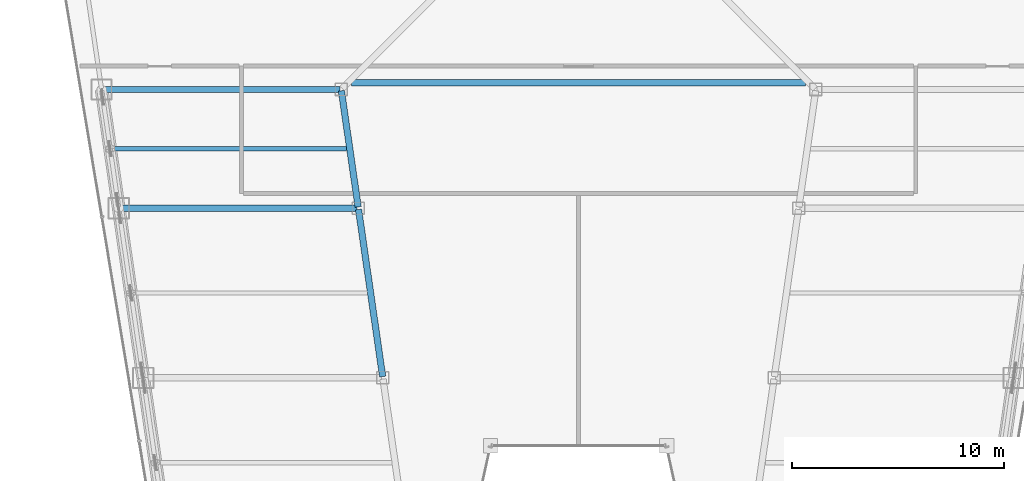
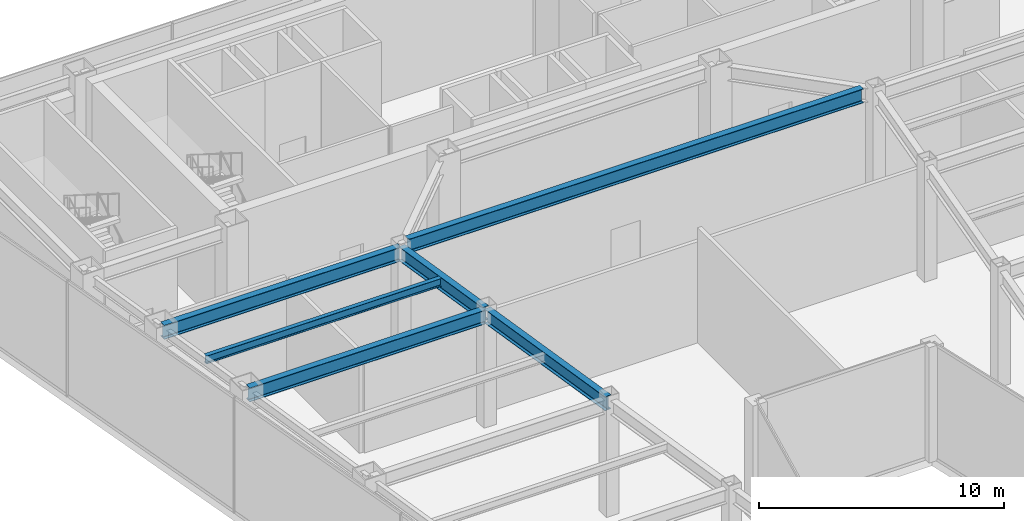
# One storey, part 10 of 30: 6 beams.
"""IFC4 building model written with IfcOpenShell, lengths in metres."""

from ifc_helpers import new_model, si_unit, direction, frame, origin, origin_2d, place, context, subcontext, project, spatial, i_section, extrude, material, material_profile, profile_set, type_object, element, save


model = new_model("IFC4")

# Units and contexts
model_context = context("Model", 3, precision=1e-05, world=origin(), true_north=direction((0.0, 1.0)))
body_context = subcontext(model_context, "Body", "Model", "MODEL_VIEW")
ifc_project = project(units=[si_unit("LENGTHUNIT", "METRE"), si_unit("AREAUNIT", "SQUARE_METRE"), si_unit("VOLUMEUNIT", "CUBIC_METRE"), si_unit("PLANEANGLEUNIT", "RADIAN"), si_unit("MASSUNIT", "GRAM", prefix="KILO")], contexts=[model_context])

# Site, building, storey
site_placement = place(None, origin())
site = spatial("IfcSite", under=ifc_project, at=site_placement, CompositionType="ELEMENT")
building_placement = place(site_placement, origin())
building = spatial("IfcBuilding", under=site, at=building_placement, Name="Saevonmaru Cultural Tower", CompositionType="ELEMENT")
storey_placement = place(building_placement, frame((0.0, 0.0, 123.60009765625)))
storey = spatial("IfcBuildingStorey", under=building, at=storey_placement, Name="L26", CompositionType="ELEMENT", Elevation=123.60009765625)

# Beams
ifc_material = material(Name="Steel SM355", Category="steel")
ifc_material_profile_1 = material_profile(ifc_material, i_section(OverallWidth=0.300048828125, OverallDepth=0.699951171875, WebThickness=0.012939453125, FlangeThickness=0.02392578125, FilletRadius=0.02587890625, at=origin_2d()), Name="H-700x300x13x24")
ifc_profile_set_1 = profile_set([ifc_material_profile_1], Name="Steel SM355")
beam_type_1 = type_object("IfcBeamType", Name="BM-G-H700", PredefinedType="BEAM", material=ifc_profile_set_1)
beam_1_placement = place(storey_placement, frame((20.763427734375, 24.059326171875, 5.39990234375), z_axis=(-0.142902032203, 0.989736838353, 0.0), x_axis=(-0.989736838353, -0.142902032203, 0.0)))
element("IfcBeam", 1, at=beam_1_placement, inside=storey, type_object=beam_type_1, Name="L26 West Atrium Girder 3", PredefinedType="BEAM", context=body_context, shape_type="SweptSolid", body=[
    extrude(i_section(OverallWidth=0.300048828125, OverallDepth=0.699951171875, WebThickness=0.012939453125, FlangeThickness=0.02392578125, FilletRadius=0.02587890625, at=origin_2d()), origin(), (0.0, 0.0, 1.0), 7.963134765625),
])
beam_2_placement = place(storey_placement, frame((19.6083984375, 32.059326171875, 5.39990234375), z_axis=(-0.142964121327, 0.989727871697, 0.0), x_axis=(-0.989727871697, -0.142964121327, 0.0)))
element("IfcBeam", 2, at=beam_2_placement, inside=storey, type_object=beam_type_1, Name="L26 West Atrium Girder 4", PredefinedType="BEAM", context=body_context, shape_type="SweptSolid", body=[
    extrude(i_section(OverallWidth=0.300048828125, OverallDepth=0.699951171875, WebThickness=0.012939453125, FlangeThickness=0.02392578125, FilletRadius=0.02587890625, at=origin_2d()), origin(), (0.0, 0.0, 1.0), 5.5380859375),
])
for number, where, z_axis, x_axis, name in (
    (3, (8.376953125, 32.0, 5.39990234375), (1.0, 0.0, 0.0), (0.0, 1.0, 0.0), "L26 West Wing Transverse Girder 4"),
    (4, (7.568115234375, 37.60009765625, 5.39990234375), (1.0, 0.0, 0.0), (0.0, 1.0, 0.0), "L26 West Wing Transverse Girder 5"),
):
    element("IfcBeam", number, at=place(storey_placement, frame(where, z_axis=z_axis, x_axis=x_axis)), inside=storey, type_object=beam_type_1, Name=name, PredefinedType="BEAM", context=body_context, shape_type="SweptSolid", body=[
        extrude(i_section(OverallWidth=0.300048828125, OverallDepth=0.699951171875, WebThickness=0.012939453125, FlangeThickness=0.02392578125, FilletRadius=0.02587890625, at=origin_2d()), origin(), (0.0, 0.0, 1.0), 11.179931640625),
    ])
beam_3_placement = place(storey_placement, frame((19.285400390625, 37.919921875, 5.39990234375), z_axis=(1.0, 0.0, 0.0), x_axis=(0.0, 1.0, 0.0)))
element("IfcBeam", 5, at=beam_3_placement, inside=storey, type_object=beam_type_1, Name="L26 Central Link Girder", PredefinedType="BEAM", context=body_context, shape_type="SweptSolid", body=[
    extrude(i_section(OverallWidth=0.300048828125, OverallDepth=0.699951171875, WebThickness=0.012939453125, FlangeThickness=0.02392578125, FilletRadius=0.02587890625, at=origin_2d()), origin(), (0.0, 0.0, 1.0), 21.42919921875),
])
ifc_material_profile_2 = material_profile(ifc_material, i_section(OverallWidth=0.199951171875, OverallDepth=0.39990234375, WebThickness=0.008056640625, FlangeThickness=0.012939453125, FilletRadius=0.01611328125, at=origin_2d()), Name="H-400x200x8x13")
ifc_profile_set_2 = profile_set([ifc_material_profile_2], Name="Steel SM355")
beam_type_2 = type_object("IfcBeamType", Name="BM-J-H400", PredefinedType="JOIST", material=ifc_profile_set_2)
beam_4_placement = place(storey_placement, frame((7.972412109375, 34.800048828125, 5.5498046875), z_axis=(1.0, 0.0, 0.0), x_axis=(0.0, 1.0, 0.0)))
element("IfcBeam", 6, at=beam_4_placement, inside=storey, type_object=beam_type_2, Name="L26 West Wing Floor Joist 4", PredefinedType="JOIST", context=body_context, shape_type="SweptSolid", body=[
    extrude(i_section(OverallWidth=0.199951171875, OverallDepth=0.39990234375, WebThickness=0.008056640625, FlangeThickness=0.012939453125, FilletRadius=0.01611328125, at=origin_2d()), origin(), (0.0, 0.0, 1.0), 11.08203125),
])

save(model, "model.ifc")
